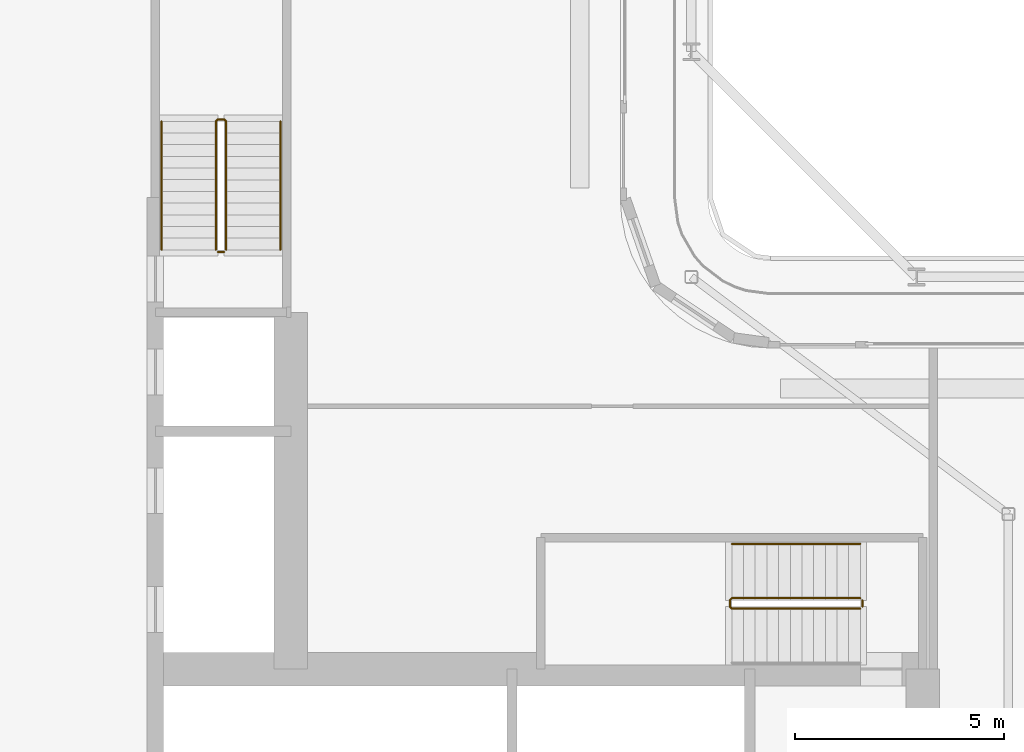
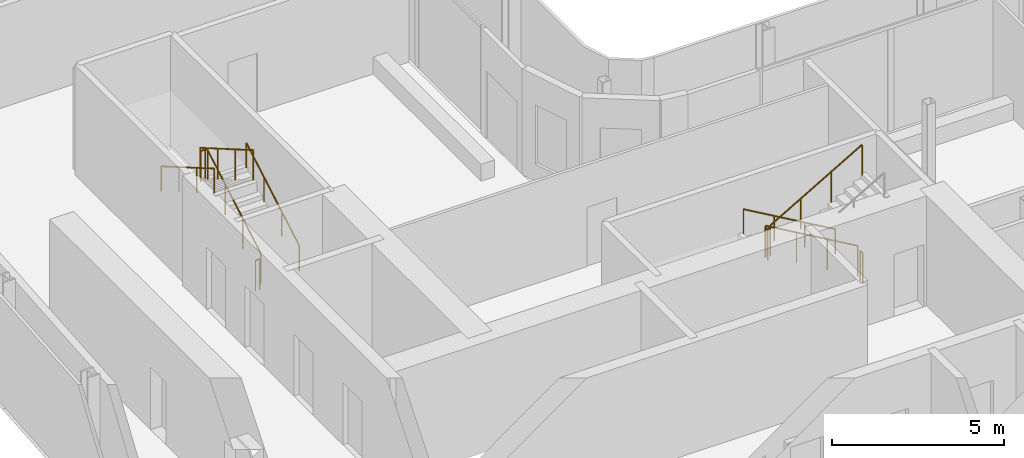
# One storey, part 24 of 29: 7 railings.
"""IFC4 building model written with IfcOpenShell, lengths in metres."""

from ifc_helpers import new_model, si_unit, direction, frame, origin, origin_2d, place, context, subcontext, project, spatial, circle, extrude, material, type_object, element, save


model = new_model("IFC4")

# Units and contexts
model_context = context("Model", 3, precision=1e-05, world=origin(), true_north=direction((0.0, 1.0)))
body_context = subcontext(model_context, "Body", "Model", "MODEL_VIEW")
ifc_project = project(units=[si_unit("LENGTHUNIT", "METRE"), si_unit("AREAUNIT", "SQUARE_METRE"), si_unit("VOLUMEUNIT", "CUBIC_METRE"), si_unit("PLANEANGLEUNIT", "RADIAN"), si_unit("MASSUNIT", "GRAM", prefix="KILO")], contexts=[model_context])

# Site, building, storey
site_placement = place(None, origin())
site = spatial("IfcSite", under=ifc_project, at=site_placement, CompositionType="ELEMENT")
building_placement = place(site_placement, origin())
building = spatial("IfcBuilding", under=site, at=building_placement, Name="Kheshtan School and Residences Tower", CompositionType="ELEMENT")
storey_placement = place(building_placement, frame((0.0, 0.0, 168.199951171875)))
storey = spatial("IfcBuildingStorey", under=building, at=storey_placement, Name="L39", CompositionType="ELEMENT", Elevation=168.199951171875)

# Railings
ifc_material_1 = material(Name="Stainless steel balustrade", Category="steel")
railing_type_1 = type_object("IfcRailingType", Name="Stair guard 1100", PredefinedType="GUARDRAIL", material=ifc_material_1)
railing_1_placement = place(storey_placement, frame((51.64990234375, 37.89990234375, 0.16259765625)))
element("IfcRailing", 1, at=railing_1_placement, inside=storey, type_object=railing_type_1, Name="L39 ST1 stair guard 1", PredefinedType="GUARDRAIL", context=body_context, shape_type="SweptSolid", body=[
    extrude(circle(Radius=0.02392578125, at=origin_2d()), frame((0.0, 0.0, 1.076171875), z_axis=(-0.864903211148, 0.0, 0.501938676878), x_axis=(0.0, -1.0, 0.0)), (0.0, 0.0, 1.0), 3.560791015625),
    extrude(circle(Radius=0.02392578125, at=origin_2d()), frame((-3.079833984375, 0.0, 2.86328125), z_axis=(-0.708833529934, -0.705375805398, 0.0), x_axis=(0.705375805398, -0.708833529934, 0.0)), (0.0, 0.0, 1.0), 0.070556640625),
    extrude(circle(Radius=0.02392578125, at=origin_2d()), frame((-3.1298828125, -0.0498046875, 2.86328125), z_axis=(0.0, -1.0, 0.0), x_axis=(1.0, 0.0, 0.0)), (0.0, 0.0, 1.0), 0.150146484375),
    extrude(circle(Radius=0.02392578125, at=origin_2d()), frame((-3.1298828125, -0.199951171875, 2.86328125), z_axis=(0.282227285176, -0.282227285176, 0.916894497205), x_axis=(0.707106781187, 0.707106781187, 0.0)), (0.0, 0.0, 1.0), 0.17724609375),
    extrude(circle(Radius=0.02392578125, at=origin_2d()), frame((-3.079833984375, -0.25, 3.02587890625), z_axis=(0.864873446163, 0.0, 0.501989962173), x_axis=(0.0, 1.0, 0.0)), (0.0, 0.0, 1.0), 3.56103515625),
    extrude(circle(Radius=0.02099609375, at=origin_2d()), origin(), (0.0, 0.0, 1.0), 1.052001953125),
    extrude(circle(Radius=0.02099609375, at=origin_2d()), frame((-1.026611328125, 0.0, 0.595703125)), (0.0, 0.0, 1.0), 1.052001953125),
    extrude(circle(Radius=0.02099609375, at=origin_2d()), frame((-2.05322265625, 0.0, 1.191650390625)), (0.0, 0.0, 1.0), 1.052001953125),
    extrude(circle(Radius=0.02099609375, at=origin_2d()), frame((-3.079833984375, 0.0, 1.787353515625)), (0.0, 0.0, 1.0), 1.052001953125),
    extrude(circle(Radius=0.02099609375, at=origin_2d()), frame((-3.1298828125, -0.0498046875, 1.787353515625)), (0.0, 0.0, 1.0), 1.052001953125),
    extrude(circle(Radius=0.02099609375, at=origin_2d()), frame((-3.1298828125, -0.199951171875, 1.787353515625)), (0.0, 0.0, 1.0), 1.052001953125),
    extrude(circle(Radius=0.02099609375, at=origin_2d()), frame((-3.079833984375, -0.25, 1.949951171875)), (0.0, 0.0, 1.0), 1.052001953125),
    extrude(circle(Radius=0.02099609375, at=origin_2d()), frame((-2.05322265625, -0.25, 2.5458984375)), (0.0, 0.0, 1.0), 1.052001953125),
    extrude(circle(Radius=0.02099609375, at=origin_2d()), frame((-1.026611328125, -0.25, 3.1416015625)), (0.0, 0.0, 1.0), 1.052001953125),
    extrude(circle(Radius=0.02099609375, at=origin_2d()), frame((0.0, -0.25, 3.737548828125)), (0.0, 0.0, 1.0), 1.052001953125),
])
railing_2_placement = place(storey_placement, frame((51.699951171875, 37.85009765625, 0.0)))
element("IfcRailing", 2, at=railing_2_placement, inside=storey, type_object=railing_type_1, Name="L39 ST1 stair guard 2", PredefinedType="GUARDRAIL", context=body_context, shape_type="SweptSolid", body=[
    extrude(circle(Radius=0.02392578125, at=origin_2d()), frame((0.0, 0.0, 1.076171875), z_axis=(0.0, -1.0, 0.0), x_axis=(1.0, 0.0, 0.0)), (0.0, 0.0, 1.0), 0.150146484375),
    extrude(circle(Radius=0.02099609375, at=origin_2d()), origin(), (0.0, 0.0, 1.0), 1.052001953125),
    extrude(circle(Radius=0.02099609375, at=origin_2d()), frame((0.0, -0.150146484375, 0.0)), (0.0, 0.0, 1.0), 1.052001953125),
])
railing_3_placement = place(storey_placement, frame((36.449951171875, 46.25, 0.16259765625)))
element("IfcRailing", 3, at=railing_3_placement, inside=storey, type_object=railing_type_1, Name="L39 ST2 stair guard 1", PredefinedType="GUARDRAIL", context=body_context, shape_type="SweptSolid", body=[
    extrude(circle(Radius=0.02392578125, at=origin_2d()), frame((0.0, 0.0, 1.076171875), z_axis=(0.0, 0.864920483161, 0.501908913857), x_axis=(-1.0, 0.0, 0.0)), (0.0, 0.0, 1.0), 3.56103515625),
    extrude(circle(Radius=0.02392578125, at=origin_2d()), frame((0.0, 3.080078125, 2.86328125), z_axis=(-0.708833529934, 0.705375805398, 0.0), x_axis=(-0.705375805398, -0.708833529934, 0.0)), (0.0, 0.0, 1.0), 0.070556640625),
    extrude(circle(Radius=0.02392578125, at=origin_2d()), frame((-0.050048828125, 3.1298828125, 2.86328125), z_axis=(-1.0, 0.0, 0.0), x_axis=(0.0, -1.0, 0.0)), (0.0, 0.0, 1.0), 0.14990234375),
    extrude(circle(Radius=0.02392578125, at=origin_2d()), frame((-0.199951171875, 3.1298828125, 2.86328125), z_axis=(-0.282336740067, -0.280959487676, 0.917250092119), x_axis=(0.705375805398, -0.708833529934, 0.0)), (0.0, 0.0, 1.0), 0.17724609375),
    extrude(circle(Radius=0.02392578125, at=origin_2d()), frame((-0.25, 3.080078125, 3.02587890625), z_axis=(0.0, -0.864890721111, 0.501960198159), x_axis=(1.0, 0.0, 0.0)), (0.0, 0.0, 1.0), 3.561279296875),
    extrude(circle(Radius=0.02099609375, at=origin_2d()), origin(), (0.0, 0.0, 1.0), 1.052001953125),
    extrude(circle(Radius=0.02099609375, at=origin_2d()), frame((0.0, 1.026611328125, 0.595703125)), (0.0, 0.0, 1.0), 1.052001953125),
    extrude(circle(Radius=0.02099609375, at=origin_2d()), frame((0.0, 2.053466796875, 1.191650390625)), (0.0, 0.0, 1.0), 1.052001953125),
    extrude(circle(Radius=0.02099609375, at=origin_2d()), frame((0.0, 3.080078125, 1.787353515625)), (0.0, 0.0, 1.0), 1.052001953125),
    extrude(circle(Radius=0.02099609375, at=origin_2d()), frame((-0.050048828125, 3.1298828125, 1.787353515625)), (0.0, 0.0, 1.0), 1.052001953125),
    extrude(circle(Radius=0.02099609375, at=origin_2d()), frame((-0.199951171875, 3.1298828125, 1.787353515625)), (0.0, 0.0, 1.0), 1.052001953125),
    extrude(circle(Radius=0.02099609375, at=origin_2d()), frame((-0.25, 3.080078125, 1.949951171875)), (0.0, 0.0, 1.0), 1.052001953125),
    extrude(circle(Radius=0.02099609375, at=origin_2d()), frame((-0.25, 2.053466796875, 2.5458984375)), (0.0, 0.0, 1.0), 1.052001953125),
    extrude(circle(Radius=0.02099609375, at=origin_2d()), frame((-0.25, 1.026611328125, 3.1416015625)), (0.0, 0.0, 1.0), 1.052001953125),
    extrude(circle(Radius=0.02099609375, at=origin_2d()), frame((-0.25, 0.0, 3.737548828125)), (0.0, 0.0, 1.0), 1.052001953125),
])
railing_4_placement = place(storey_placement, frame((36.39990234375, 46.199951171875, 0.0)))
element("IfcRailing", 4, at=railing_4_placement, inside=storey, type_object=railing_type_1, Name="L39 ST2 stair guard 2", PredefinedType="GUARDRAIL", context=body_context, shape_type="SweptSolid", body=[
    extrude(circle(Radius=0.02392578125, at=origin_2d()), frame((0.0, 0.0, 1.076171875), z_axis=(-1.0, 0.0, 0.0), x_axis=(0.0, -1.0, 0.0)), (0.0, 0.0, 1.0), 0.14990234375),
    extrude(circle(Radius=0.02099609375, at=origin_2d()), origin(), (0.0, 0.0, 1.0), 1.052001953125),
    extrude(circle(Radius=0.02099609375, at=origin_2d()), frame((-0.14990234375, 0.0, 0.0)), (0.0, 0.0, 1.0), 1.052001953125),
])
ifc_material_2 = material(Name="Stainless steel handrail", Category="steel")
railing_type_2 = type_object("IfcRailingType", Name="Stair handrail 900", PredefinedType="HANDRAIL", material=ifc_material_2)
railing_5_placement = place(storey_placement, frame((51.64990234375, 39.199951171875, 0.16259765625)))
element("IfcRailing", 5, at=railing_5_placement, inside=storey, type_object=railing_type_2, Name="L39 ST1 stair handrail 1", PredefinedType="HANDRAIL", context=body_context, shape_type="SweptSolid", body=[
    extrude(circle(Radius=0.02392578125, at=origin_2d()), frame((0.0, 0.0, 0.8759765625), z_axis=(-0.864903211148, 0.0, 0.501938676878), x_axis=(0.0, -1.0, 0.0)), (0.0, 0.0, 1.0), 3.560791015625),
    extrude(circle(Radius=0.02099609375, at=origin_2d()), origin(), (0.0, 0.0, 1.0), 0.851806640625),
    extrude(circle(Radius=0.02099609375, at=origin_2d()), frame((-1.026611328125, 0.0, 0.595703125)), (0.0, 0.0, 1.0), 0.851806640625),
    extrude(circle(Radius=0.02099609375, at=origin_2d()), frame((-2.05322265625, 0.0, 1.191650390625)), (0.0, 0.0, 1.0), 0.851806640625),
    extrude(circle(Radius=0.02099609375, at=origin_2d()), frame((-3.079833984375, 0.0, 1.787353515625)), (0.0, 0.0, 1.0), 0.851806640625),
])
railing_6_placement = place(storey_placement, frame((37.75, 46.25, 0.16259765625)))
element("IfcRailing", 6, at=railing_6_placement, inside=storey, type_object=railing_type_2, Name="L39 ST2 stair handrail 1", PredefinedType="HANDRAIL", context=body_context, shape_type="SweptSolid", body=[
    extrude(circle(Radius=0.02392578125, at=origin_2d()), frame((0.0, 0.0, 0.8759765625), z_axis=(0.0, 0.864920483161, 0.501908913857), x_axis=(-1.0, 0.0, 0.0)), (0.0, 0.0, 1.0), 3.56103515625),
    extrude(circle(Radius=0.02099609375, at=origin_2d()), origin(), (0.0, 0.0, 1.0), 0.851806640625),
    extrude(circle(Radius=0.02099609375, at=origin_2d()), frame((0.0, 1.026611328125, 0.595703125)), (0.0, 0.0, 1.0), 0.851806640625),
    extrude(circle(Radius=0.02099609375, at=origin_2d()), frame((0.0, 2.053466796875, 1.191650390625)), (0.0, 0.0, 1.0), 0.851806640625),
    extrude(circle(Radius=0.02099609375, at=origin_2d()), frame((0.0, 3.080078125, 1.787353515625)), (0.0, 0.0, 1.0), 0.851806640625),
])
railing_7_placement = place(storey_placement, frame((34.89990234375, 49.330078125, 2.112548828125)))
element("IfcRailing", 7, at=railing_7_placement, inside=storey, type_object=railing_type_2, Name="L39 ST2 stair handrail 2", PredefinedType="HANDRAIL", context=body_context, shape_type="SweptSolid", body=[
    extrude(circle(Radius=0.02392578125, at=origin_2d()), frame((0.0, 0.0, 0.8759765625), z_axis=(0.0, -0.864890721111, 0.501960198159), x_axis=(1.0, 0.0, 0.0)), (0.0, 0.0, 1.0), 3.561279296875),
    extrude(circle(Radius=0.02099609375, at=origin_2d()), origin(), (0.0, 0.0, 1.0), 0.851806640625),
    extrude(circle(Radius=0.02099609375, at=origin_2d()), frame((0.0, -1.026611328125, 0.595947265625)), (0.0, 0.0, 1.0), 0.851806640625),
    extrude(circle(Radius=0.02099609375, at=origin_2d()), frame((0.0, -2.053466796875, 1.191650390625)), (0.0, 0.0, 1.0), 0.851806640625),
    extrude(circle(Radius=0.02099609375, at=origin_2d()), frame((0.0, -3.080078125, 1.78759765625)), (0.0, 0.0, 1.0), 0.851806640625),
])

save(model, "model.ifc")
